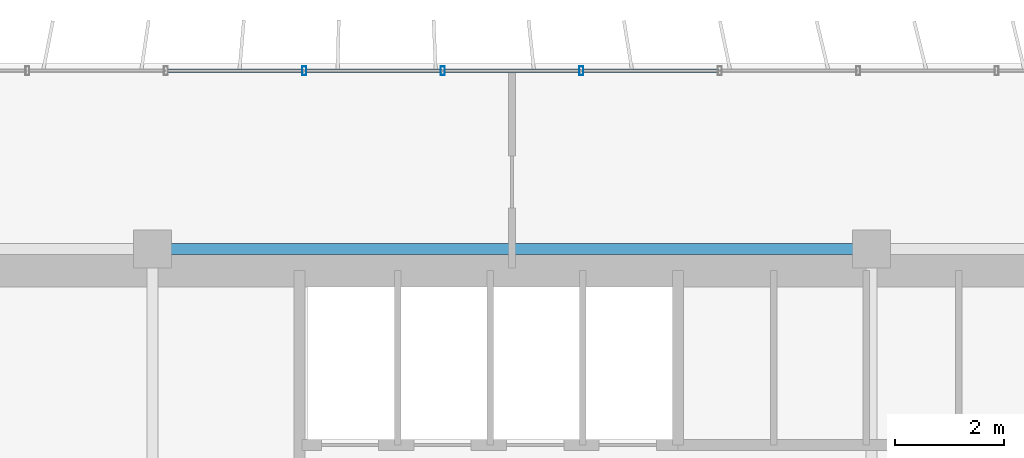
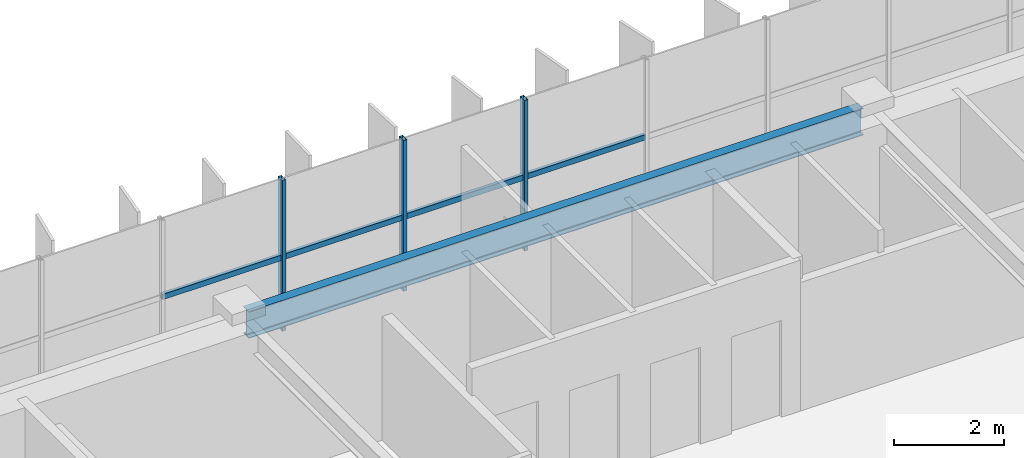
# One storey, part 7 of 21: 7 members, 1 beam, 1 element without a shape of its own.
"""IFC4 building model written with IfcOpenShell, lengths in metres."""

from ifc_helpers import new_model, si_unit, direction, frame, origin, origin_2d, place, context, subcontext, project, spatial, hollow_rectangle, i_section, extrude, source, transform, mapped, material, material_profile, profile_set, type_object, element, aggregate, save


model = new_model("IFC4")

# Units and contexts
model_context = context("Model", 3, precision=1e-05, world=origin(), true_north=direction((0.0, 1.0)))
body_context = subcontext(model_context, "Body", "Model", "MODEL_VIEW")
ifc_project = project(units=[si_unit("LENGTHUNIT", "METRE"), si_unit("AREAUNIT", "SQUARE_METRE"), si_unit("VOLUMEUNIT", "CUBIC_METRE"), si_unit("PLANEANGLEUNIT", "RADIAN"), si_unit("MASSUNIT", "GRAM", prefix="KILO")], contexts=[model_context])

# Site, building, storey
site_placement = place(None, origin())
site = spatial("IfcSite", under=ifc_project, at=site_placement, CompositionType="ELEMENT")
building_placement = place(site_placement, origin())
building = spatial("IfcBuilding", under=site, at=building_placement, Name="Trelvane Seafront Commons", CompositionType="ELEMENT")
storey_placement = place(building_placement, frame((0.0, 0.0, 135.699951171875)))
storey = spatial("IfcBuildingStorey", under=building, at=storey_placement, Name="L35", CompositionType="ELEMENT", Elevation=135.699951171875)

# Beam
ifc_material_1 = material(Name="Steel SM355 (S355)", Category="steel")
ifc_material_profile_1 = material_profile(ifc_material_1, i_section(OverallWidth=0.199951171875, OverallDepth=0.60009765625, WebThickness=0.010986328125, FlangeThickness=0.01708984375, at=origin_2d()), Name="H-600x200x11x17")
ifc_profile_set_1 = profile_set([ifc_material_profile_1], Name="Steel SM355 (S355)")
beam_type = type_object("IfcBeamType", Name="STR-SPD-H600", PredefinedType="SPANDREL", material=ifc_profile_set_1)
shared_shape_1 = source(origin(), body_context, "Body", "SweptSolid", [
    extrude(i_section(OverallWidth=0.199951171875, OverallDepth=0.60009765625, WebThickness=0.010986328125, FlangeThickness=0.01708984375, at=origin_2d()), origin(), (0.0, 0.0, 1.0), 12.89990234375),
])
beam_placement = place(storey_placement, frame((30.75, 45.10009765625, 3.050048828125), z_axis=(1.0, 0.0, 0.0), x_axis=(0.0, 1.0, 0.0)))
element("IfcBeam", 1, at=beam_placement, inside=storey, type_object=beam_type, Name="L35 Primary Girder G-25", PredefinedType="SPANDREL", context=body_context, shape_type="MappedRepresentation", body=[
    mapped(shared_shape_1, transform((0.0, 0.0, 0.0), x_axis=(1.0, 0.0, 0.0), y_axis=(0.0, 1.0, 0.0), z_axis=(0.0, 0.0, 1.0), scale=1.0)),
])

# Curtain wall, members
ifc_material_2 = material(Name="Anodised pale-silver aluminium", Category="aluminium")
curtain_wall_type = type_object("IfcCurtainWallType", Name="ARCH-CW5-UPTOWER", PredefinedType="NOTDEFINED", material=ifc_material_2)
curtain_wall_placement = place(storey_placement, origin())
curtain_wall = element("IfcCurtainWall", 2, at=curtain_wall_placement, inside=storey, type_object=curtain_wall_type, Name="CW-L35-0062", PredefinedType="NOTDEFINED")
ifc_material_profile_2 = material_profile(ifc_material_2, hollow_rectangle(XDim=0.070068359375, YDim=0.1201171875, WallThickness=0.00390625, at=origin_2d()), Name="TRAN-70x120x4")
ifc_profile_set_2 = profile_set([ifc_material_profile_2], Name="Anodised pale-silver aluminium")
member_type_1 = type_object("IfcMemberType", Name="ARCH-CW-TRAN-120", PredefinedType="USERDEFINED", material=ifc_profile_set_2)
shared_shape_2 = source(origin(), body_context, "Body", "SweptSolid", [
    extrude(hollow_rectangle(XDim=0.070068359375, YDim=0.1201171875, WallThickness=0.00390625, at=origin_2d()), origin(), (0.0, 0.0, 1.0), 2.51708984375),
])
member_1_placement = place(storey_placement, frame((30.859130859375, 48.3701171875, 1.608154296875), z_axis=(1.0, 0.0, 0.0), x_axis=(0.0, 1.0, 0.0)))
member_1 = element("IfcMember", 3, at=member_1_placement, type_object=member_type_1, Name="CW-L35-0062-T06", ObjectType="TRANSOM", PredefinedType="USERDEFINED", context=body_context, shape_type="MappedRepresentation", body=[
    mapped(shared_shape_2, transform((0.0, 0.0, 0.0), x_axis=(1.0, 0.0, 0.0), y_axis=(0.0, 1.0, 0.0), z_axis=(0.0, 0.0, 1.0), scale=1.0)),
])
member_2_placement = place(storey_placement, frame((35.94140625, 48.3701171875, 1.608154296875), z_axis=(1.0, 0.0, 0.0), x_axis=(0.0, 1.0, 0.0)))
member_2 = element("IfcMember", 4, at=member_2_placement, type_object=member_type_1, Name="CW-L35-0062-T08", ObjectType="TRANSOM", PredefinedType="USERDEFINED", context=body_context, shape_type="MappedRepresentation", body=[
    mapped(shared_shape_2, transform((0.0, 0.0, 0.0), x_axis=(1.0, 0.0, 0.0), y_axis=(0.0, 1.0, 0.0), z_axis=(0.0, 0.0, 1.0), scale=1.0)),
])
member_3_placement = place(storey_placement, frame((38.482666015625, 48.3701171875, 1.608154296875), z_axis=(1.0, 0.0, 0.0), x_axis=(0.0, 1.0, 0.0)))
member_3 = element("IfcMember", 5, at=member_3_placement, type_object=member_type_1, Name="CW-L35-0062-T09", ObjectType="TRANSOM", PredefinedType="USERDEFINED", context=body_context, shape_type="MappedRepresentation", body=[
    mapped(shared_shape_2, transform((0.0, 0.0, 0.0), x_axis=(1.0, 0.0, 0.0), y_axis=(0.0, 1.0, 0.0), z_axis=(0.0, 0.0, 1.0), scale=1.0)),
])
shared_shape_3 = source(origin(), body_context, "Body", "SweptSolid", [
    extrude(hollow_rectangle(XDim=0.070068359375, YDim=0.1201171875, WallThickness=0.00390625, at=origin_2d()), origin(), (0.0, 0.0, 1.0), 2.517333984375),
])
member_4_placement = place(storey_placement, frame((33.400146484375, 48.3701171875, 1.608154296875), z_axis=(1.0, 0.0, 0.0), x_axis=(0.0, 1.0, 0.0)))
member_4 = element("IfcMember", 6, at=member_4_placement, type_object=member_type_1, Name="CW-L35-0062-T07", ObjectType="TRANSOM", PredefinedType="USERDEFINED", context=body_context, shape_type="MappedRepresentation", body=[
    mapped(shared_shape_3, transform((0.0, 0.0, 0.0), x_axis=(1.0, 0.0, 0.0), y_axis=(0.0, 1.0, 0.0), z_axis=(0.0, 0.0, 1.0), scale=1.0)),
])
ifc_material_profile_3 = material_profile(ifc_material_2, hollow_rectangle(XDim=0.074951171875, YDim=0.159912109375, WallThickness=0.00390625, at=origin_2d()), Name="MULL-75x160x4")
ifc_profile_set_3 = profile_set([ifc_material_profile_3], Name="Anodised pale-silver aluminium")
member_type_2 = type_object("IfcMemberType", Name="ARCH-CW-MULL-160", PredefinedType="MULLION", material=ifc_profile_set_3)
shared_shape_4 = source(origin(), body_context, "Body", "SweptSolid", [
    extrude(hollow_rectangle(XDim=0.074951171875, YDim=0.159912109375, WallThickness=0.00390625, at=origin_2d()), origin(), (0.0, 0.0, 1.0), 3.35009765625),
])
member_5_placement = place(storey_placement, frame((33.38818359375, 48.3701171875, 0.0), z_axis=(0.0, 0.0, 1.0), x_axis=(1.0, 0.0, 0.0)))
member_5 = element("IfcMember", 7, at=member_5_placement, type_object=member_type_2, Name="CW-L35-0062-M07", PredefinedType="MULLION", context=body_context, shape_type="MappedRepresentation", body=[
    mapped(shared_shape_4, transform((0.0, 0.0, 0.0), x_axis=(1.0, 0.0, 0.0), y_axis=(0.0, 1.0, 0.0), z_axis=(0.0, 0.0, 1.0), scale=1.0)),
])
member_6_placement = place(storey_placement, frame((35.929443359375, 48.3701171875, 0.0), z_axis=(0.0, 0.0, 1.0), x_axis=(1.0, 0.0, 0.0)))
member_6 = element("IfcMember", 8, at=member_6_placement, type_object=member_type_2, Name="CW-L35-0062-M08", PredefinedType="MULLION", context=body_context, shape_type="MappedRepresentation", body=[
    mapped(shared_shape_4, transform((0.0, 0.0, 0.0), x_axis=(1.0, 0.0, 0.0), y_axis=(0.0, 1.0, 0.0), z_axis=(0.0, 0.0, 1.0), scale=1.0)),
])
member_7_placement = place(storey_placement, frame((38.470703125, 48.3701171875, 0.0), z_axis=(0.0, 0.0, 1.0), x_axis=(1.0, 0.0, 0.0)))
member_7 = element("IfcMember", 9, at=member_7_placement, type_object=member_type_2, Name="CW-L35-0062-M09", PredefinedType="MULLION", context=body_context, shape_type="MappedRepresentation", body=[
    mapped(shared_shape_4, transform((0.0, 0.0, 0.0), x_axis=(1.0, 0.0, 0.0), y_axis=(0.0, 1.0, 0.0), z_axis=(0.0, 0.0, 1.0), scale=1.0)),
])
aggregate(curtain_wall, [member_5, member_6, member_7, member_1, member_4, member_2, member_3])

save(model, "model.ifc")
